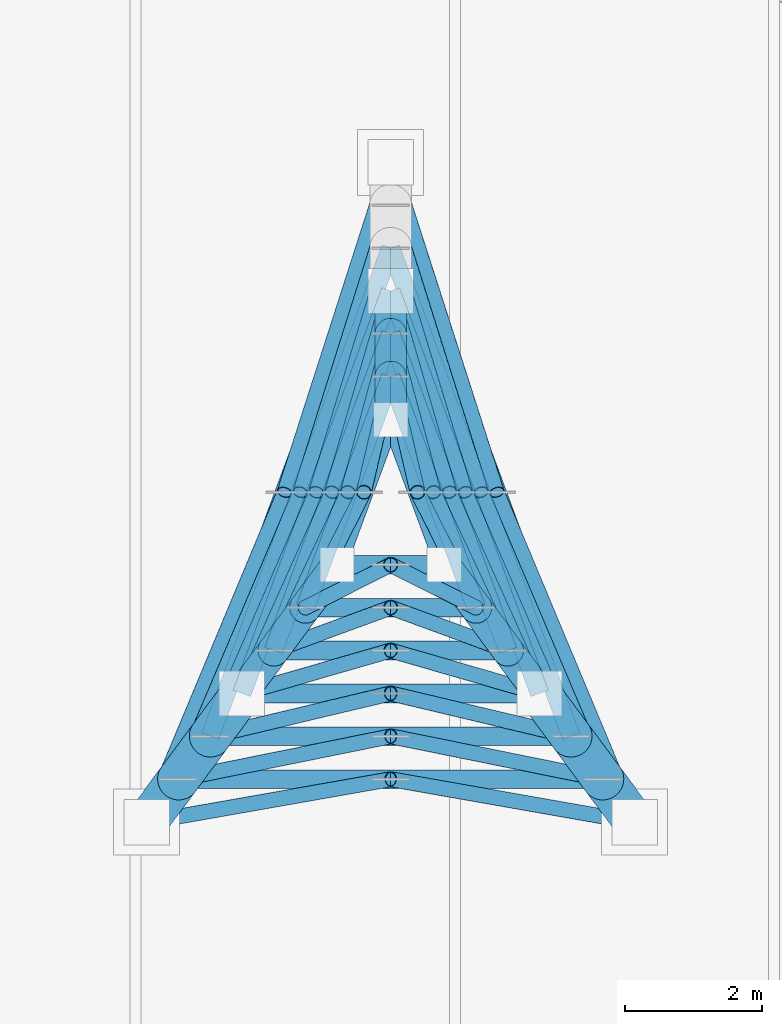
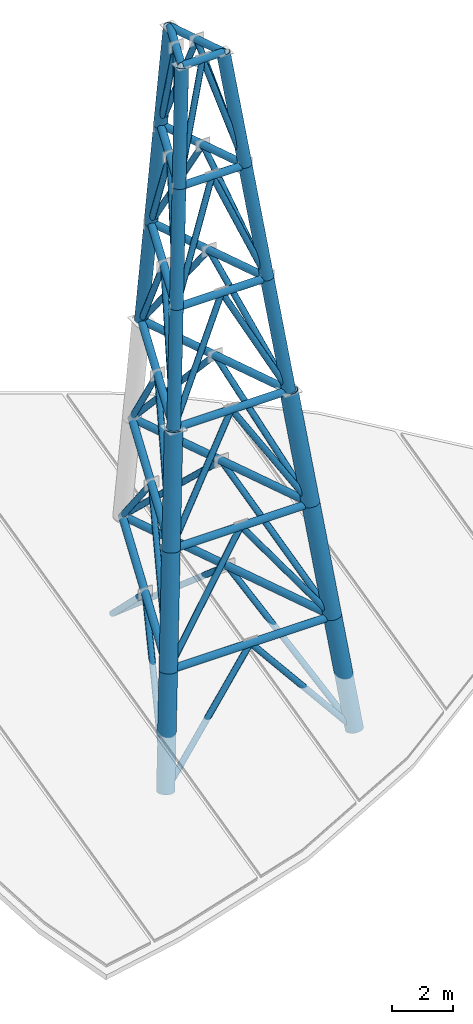
# One storey, part 1 of 3: 69 members.
"""IFC4 building model written with IfcOpenShell, lengths in metres."""

from ifc_helpers import new_model, si_unit, direction, frame, origin, origin_2d, place, context, subcontext, project, spatial, hollow_circle, extrude, material, material_profile, profile_set, type_object, element, save


model = new_model("IFC4")

# Units and contexts
model_context = context("Model", 3, precision=1e-05, world=origin(), true_north=direction((0.0, 1.0)))
body_context = subcontext(model_context, "Body", "Model", "MODEL_VIEW")
ifc_project = project(units=[si_unit("LENGTHUNIT", "METRE"), si_unit("AREAUNIT", "SQUARE_METRE"), si_unit("VOLUMEUNIT", "CUBIC_METRE"), si_unit("PLANEANGLEUNIT", "RADIAN"), si_unit("MASSUNIT", "GRAM", prefix="KILO")], contexts=[model_context])

# Site, building, storey
site_placement = place(None, origin())
site = spatial("IfcSite", under=ifc_project, at=site_placement, CompositionType="ELEMENT")
building_placement = place(site_placement, origin())
building = spatial("IfcBuilding", under=site, at=building_placement, Name="Menara Vayukalpa", CompositionType="ELEMENT")
storey_placement = place(building_placement, frame((0.0, 0.0, 318.419921875)))
storey = spatial("IfcBuildingStorey", under=building, at=storey_placement, Name="RF", CompositionType="ELEMENT", Elevation=318.419921875)

# Members
ifc_material_1 = material(Name="Steel S355", Category="steel")
ifc_material_profile_1 = material_profile(ifc_material_1, hollow_circle(Radius=0.136474609375, WallThickness=0.012451171875, at=origin_2d()), Name="CHS 273.0x12.5")
ifc_profile_set_1 = profile_set([ifc_material_profile_1], Name="Steel S355")
member_type_1 = type_object("IfcMemberType", Name="MEM-MB1", PredefinedType="STRUT", material=ifc_profile_set_1)
member_1_placement = place(storey_placement, frame((22.511474609375, 17.823974609375, 4.266845703125), z_axis=(1.0, 0.0, 0.0), x_axis=(0.0, 1.0, 0.0)))
element("IfcMember", 1, at=member_1_placement, inside=storey, type_object=member_type_1, Name="Broadcast Mast Ring Strut MB1 Tier 1.1", PredefinedType="STRUT", context=body_context, shape_type="SweptSolid", body=[
    extrude(hollow_circle(Radius=0.136474609375, WallThickness=0.012451171875, at=origin_2d()), origin(), (0.0, 0.0, 1.0), 6.177001953125),
])
for number, where, z_axis, x_axis, name in (
    (2, (28.6884765625, 17.823974609375, 4.266845703125), (-0.346823186042, 0.93793052921, 0.0), (-0.93793052921, -0.346823186042, 0.0), "Broadcast Mast Ring Strut MB1 Tier 1.2"),
    (3, (25.60009765625, 26.176025390625, 4.266845703125), (-0.346847304678, -0.93792161039, 0.0), (0.93792161039, -0.346847304678, 0.0), "Broadcast Mast Ring Strut MB1 Tier 1.3"),
):
    element("IfcMember", number, at=place(storey_placement, frame(where, z_axis=z_axis, x_axis=x_axis)), inside=storey, type_object=member_type_1, Name=name, PredefinedType="STRUT", context=body_context, shape_type="SweptSolid", body=[
        extrude(hollow_circle(Radius=0.136474609375, WallThickness=0.012451171875, at=origin_2d()), origin(), (0.0, 0.0, 1.0), 8.90478515625),
    ])
member_2_placement = place(storey_placement, frame((22.972900390625, 18.447998046875, 8.533447265625), z_axis=(1.0, 0.0, 0.0), x_axis=(0.0, 1.0, 0.0)))
element("IfcMember", 4, at=member_2_placement, inside=storey, type_object=member_type_1, Name="Broadcast Mast Ring Strut MB1 Tier 2.1", PredefinedType="STRUT", context=body_context, shape_type="SweptSolid", body=[
    extrude(hollow_circle(Radius=0.136474609375, WallThickness=0.012451171875, at=origin_2d()), origin(), (0.0, 0.0, 1.0), 5.254150390625),
])
for number, where, z_axis, x_axis, name in (
    (5, (28.22705078125, 18.447998046875, 8.533447265625), (-0.346831391993, 0.937927494814, 0.0), (-0.937927494814, -0.346831391993, 0.0), "Broadcast Mast Ring Strut MB1 Tier 2.2"),
    (6, (25.60009765625, 25.552001953125, 8.533447265625), (-0.346859747497, -0.937917008891, 0.0), (0.937917008891, -0.346859747497, 0.0), "Broadcast Mast Ring Strut MB1 Tier 2.3"),
):
    element("IfcMember", number, at=place(storey_placement, frame(where, z_axis=z_axis, x_axis=x_axis)), inside=storey, type_object=member_type_1, Name=name, PredefinedType="STRUT", context=body_context, shape_type="SweptSolid", body=[
        extrude(hollow_circle(Radius=0.136474609375, WallThickness=0.012451171875, at=origin_2d()), origin(), (0.0, 0.0, 1.0), 7.57421875),
    ])
member_3_placement = place(storey_placement, frame((23.4345703125, 19.072021484375, 12.800048828125), z_axis=(1.0, 0.0, 0.0), x_axis=(0.0, 1.0, 0.0)))
element("IfcMember", 7, at=member_3_placement, inside=storey, type_object=member_type_1, Name="Broadcast Mast Ring Strut MB1 Tier 3.1", PredefinedType="STRUT", context=body_context, shape_type="SweptSolid", body=[
    extrude(hollow_circle(Radius=0.136474609375, WallThickness=0.012451171875, at=origin_2d()), origin(), (0.0, 0.0, 1.0), 4.330810546875),
])
member_4_placement = place(storey_placement, frame((27.765380859375, 19.072021484375, 12.800048828125), z_axis=(-0.346808696028, 0.937935887126, 0.0), x_axis=(-0.937935887126, -0.346808696028, 0.0)))
element("IfcMember", 8, at=member_4_placement, inside=storey, type_object=member_type_1, Name="Broadcast Mast Ring Strut MB1 Tier 3.2", PredefinedType="STRUT", context=body_context, shape_type="SweptSolid", body=[
    extrude(hollow_circle(Radius=0.136474609375, WallThickness=0.012451171875, at=origin_2d()), origin(), (0.0, 0.0, 1.0), 6.243408203125),
])
member_5_placement = place(storey_placement, frame((25.60009765625, 24.927978515625, 12.800048828125), z_axis=(-0.346843095581, -0.937923166922, 0.0), x_axis=(0.937923166922, -0.346843095581, 0.0)))
element("IfcMember", 9, at=member_5_placement, inside=storey, type_object=member_type_1, Name="Broadcast Mast Ring Strut MB1 Tier 3.3", PredefinedType="STRUT", context=body_context, shape_type="SweptSolid", body=[
    extrude(hollow_circle(Radius=0.136474609375, WallThickness=0.012451171875, at=origin_2d()), origin(), (0.0, 0.0, 1.0), 6.24365234375),
])
member_6_placement = place(storey_placement, frame((23.89599609375, 19.696044921875, 17.06689453125), z_axis=(1.0, 0.0, 0.0), x_axis=(0.0, 1.0, 0.0)))
element("IfcMember", 10, at=member_6_placement, inside=storey, type_object=member_type_1, Name="Broadcast Mast Ring Strut MB1 Tier 4.1", PredefinedType="STRUT", context=body_context, shape_type="SweptSolid", body=[
    extrude(hollow_circle(Radius=0.136474609375, WallThickness=0.012451171875, at=origin_2d()), origin(), (0.0, 0.0, 1.0), 3.407958984375),
])
for number, where, z_axis, x_axis, name in (
    (11, (27.303955078125, 19.696044921875, 17.06689453125), (-0.346817422718, 0.937932660322, 0.0), (-0.937932660322, -0.346817422718, 0.0), "Broadcast Mast Ring Strut MB1 Tier 4.2"),
    (12, (25.60009765625, 24.303955078125, 17.06689453125), (-0.346861138656, -0.937916494412, 0.0), (0.937916494412, -0.346861138656, 0.0), "Broadcast Mast Ring Strut MB1 Tier 4.3"),
):
    element("IfcMember", number, at=place(storey_placement, frame(where, z_axis=z_axis, x_axis=x_axis)), inside=storey, type_object=member_type_1, Name=name, PredefinedType="STRUT", context=body_context, shape_type="SweptSolid", body=[
        extrude(hollow_circle(Radius=0.136474609375, WallThickness=0.012451171875, at=origin_2d()), origin(), (0.0, 0.0, 1.0), 4.912841796875),
    ])
member_7_placement = place(storey_placement, frame((24.357421875, 20.320068359375, 21.33349609375), z_axis=(1.0, 0.0, 0.0), x_axis=(0.0, 1.0, 0.0)))
element("IfcMember", 13, at=member_7_placement, inside=storey, type_object=member_type_1, Name="Broadcast Mast Ring Strut MB1 Tier 5.1", PredefinedType="STRUT", context=body_context, shape_type="SweptSolid", body=[
    extrude(hollow_circle(Radius=0.136474609375, WallThickness=0.012451171875, at=origin_2d()), origin(), (0.0, 0.0, 1.0), 2.485107421875),
])
for number, where, z_axis, x_axis, name in (
    (14, (26.842529296875, 20.320068359375, 21.33349609375), (-0.346832632386, 0.937927036135, 0.0), (-0.937927036135, -0.346832632386, 0.0), "Broadcast Mast Ring Strut MB1 Tier 5.2"),
    (15, (25.60009765625, 23.679931640625, 21.33349609375), (-0.346892585288, -0.937904864191, 0.0), (0.937904864191, -0.346892585288, 0.0), "Broadcast Mast Ring Strut MB1 Tier 5.3"),
):
    element("IfcMember", number, at=place(storey_placement, frame(where, z_axis=z_axis, x_axis=x_axis)), inside=storey, type_object=member_type_1, Name=name, PredefinedType="STRUT", context=body_context, shape_type="SweptSolid", body=[
        extrude(hollow_circle(Radius=0.136474609375, WallThickness=0.012451171875, at=origin_2d()), origin(), (0.0, 0.0, 1.0), 3.582275390625),
    ])
member_8_placement = place(storey_placement, frame((24.819091796875, 20.944091796875, 25.60009765625), z_axis=(1.0, 0.0, 0.0), x_axis=(0.0, 1.0, 0.0)))
element("IfcMember", 16, at=member_8_placement, inside=storey, type_object=member_type_1, Name="Broadcast Mast Ring Strut MB1 Tier 6.1", PredefinedType="STRUT", context=body_context, shape_type="SweptSolid", body=[
    extrude(hollow_circle(Radius=0.136474609375, WallThickness=0.012451171875, at=origin_2d()), origin(), (0.0, 0.0, 1.0), 1.56201171875),
])
for number, where, z_axis, x_axis, name in (
    (17, (26.381103515625, 20.944091796875, 25.60009765625), (-0.346865818402, 0.937914763731, 0.0), (-0.937914763731, -0.346865818402, 0.0), "Broadcast Mast Ring Strut MB1 Tier 6.2"),
    (18, (25.60009765625, 23.055908203125, 25.60009765625), (-0.346865818402, -0.937914763731, 0.0), (0.937914763731, -0.346865818402, 0.0), "Broadcast Mast Ring Strut MB1 Tier 6.3"),
):
    element("IfcMember", number, at=place(storey_placement, frame(where, z_axis=z_axis, x_axis=x_axis)), inside=storey, type_object=member_type_1, Name=name, PredefinedType="STRUT", context=body_context, shape_type="SweptSolid", body=[
        extrude(hollow_circle(Radius=0.136474609375, WallThickness=0.012451171875, at=origin_2d()), origin(), (0.0, 0.0, 1.0), 2.251708984375),
    ])
ifc_material_2 = material(Name="Steel S355", Category="steel")
ifc_material_profile_2 = material_profile(ifc_material_2, hollow_circle(Radius=0.109619140625, WallThickness=0.010009765625, at=origin_2d()), Name="CHS 219.1x10")
ifc_profile_set_2 = profile_set([ifc_material_profile_2], Name="Steel S355")
member_type_2 = type_object("IfcMemberType", Name="MEM-MB2", PredefinedType="BRACE", material=ifc_profile_set_2)
for number, where, z_axis, x_axis, name in (
    (19, (22.050048828125, 17.199951171875, 0.0), (0.63557878025, 0.111721295806, 0.763909658375), (-0.173124560872, 0.984899937264, 0.0), "Broadcast Mast Lattice Brace MB2 Tier 1.1A"),
    (20, (29.14990234375, 17.199951171875, 0.0), (-0.635552726615, 0.111724399534, 0.763930880539), (-0.173136110744, -0.984897906971, 0.0), "Broadcast Mast Lattice Brace MB2 Tier 1.1B"),
):
    element("IfcMember", number, at=place(storey_placement, frame(where, z_axis=z_axis, x_axis=x_axis)), inside=storey, type_object=member_type_2, Name=name, PredefinedType="BRACE", context=body_context, shape_type="SweptSolid", body=[
        extrude(hollow_circle(Radius=0.109619140625, WallThickness=0.010009765625, at=origin_2d()), origin(), (0.0, 0.0, 1.0), 5.58544921875),
    ])
member_9_placement = place(storey_placement, frame((29.14990234375, 17.199951171875, 0.0), z_axis=(-0.298090055867, 0.713420400293, 0.634171625854), x_axis=(-0.922694639662, -0.385531583583, 0.0)))
element("IfcMember", 21, at=member_9_placement, inside=storey, type_object=member_type_2, Name="Broadcast Mast Lattice Brace MB2 Tier 1.2A", PredefinedType="BRACE", context=body_context, shape_type="SweptSolid", body=[
    extrude(hollow_circle(Radius=0.109619140625, WallThickness=0.010009765625, at=origin_2d()), origin(), (0.0, 0.0, 1.0), 6.728271484375),
])
for number, where, z_axis, x_axis, name in (
    (22, (25.60009765625, 26.800048828125, 0.0), (0.23377775686, -0.726688454959, 0.645965827136), (0.951952461941, 0.306245832958, 0.0), "Broadcast Mast Lattice Brace MB2 Tier 1.2B"),
    (23, (25.60009765625, 26.800048828125, 0.0), (-0.23377775686, -0.726688454959, 0.645965827136), (0.951952461941, -0.306245832958, 0.0), "Broadcast Mast Lattice Brace MB2 Tier 1.3A"),
):
    element("IfcMember", number, at=place(storey_placement, frame(where, z_axis=z_axis, x_axis=x_axis)), inside=storey, type_object=member_type_2, Name=name, PredefinedType="BRACE", context=body_context, shape_type="SweptSolid", body=[
        extrude(hollow_circle(Radius=0.109619140625, WallThickness=0.010009765625, at=origin_2d()), origin(), (0.0, 0.0, 1.0), 6.60546875),
    ])
member_10_placement = place(storey_placement, frame((22.050048828125, 17.199951171875, 0.0), z_axis=(0.298123117104, 0.713412683225, 0.63416476602), x_axis=(-0.922677944716, 0.385571537246, 0.0)))
element("IfcMember", 24, at=member_10_placement, inside=storey, type_object=member_type_2, Name="Broadcast Mast Lattice Brace MB2 Tier 1.3B", PredefinedType="BRACE", context=body_context, shape_type="SweptSolid", body=[
    extrude(hollow_circle(Radius=0.109619140625, WallThickness=0.010009765625, at=origin_2d()), origin(), (0.0, 0.0, 1.0), 6.728271484375),
])
for number, where, z_axis, x_axis, name in (
    (25, (22.511474609375, 17.823974609375, 4.266845703125), (0.582314709856, 0.117650493905, 0.804405333131), (-0.198037848366, 0.980194373895, 0.0), "Broadcast Mast Lattice Brace MB2 Tier 2.1A"),
    (26, (28.6884765625, 17.823974609375, 4.266845703125), (-0.58228428753, 0.117653647346, 0.804426893982), (-0.198052889482, -0.980191334877, 0.0), "Broadcast Mast Lattice Brace MB2 Tier 2.1B"),
):
    element("IfcMember", number, at=place(storey_placement, frame(where, z_axis=z_axis, x_axis=x_axis)), inside=storey, type_object=member_type_2, Name=name, PredefinedType="BRACE", context=body_context, shape_type="SweptSolid", body=[
        extrude(hollow_circle(Radius=0.109619140625, WallThickness=0.010009765625, at=origin_2d()), origin(), (0.0, 0.0, 1.0), 5.303955078125),
    ])
member_11_placement = place(storey_placement, frame((28.6884765625, 17.823974609375, 4.266845703125), z_axis=(-0.284967800893, 0.670477886421, 0.685020259754), x_axis=(-0.920323655138, -0.39115773007, 0.0)))
element("IfcMember", 27, at=member_11_placement, inside=storey, type_object=member_type_2, Name="Broadcast Mast Lattice Brace MB2 Tier 2.2A", PredefinedType="BRACE", context=body_context, shape_type="SweptSolid", body=[
    extrude(hollow_circle(Radius=0.109619140625, WallThickness=0.010009765625, at=origin_2d()), origin(), (0.0, 0.0, 1.0), 6.228515625),
])
for number, where, z_axis, x_axis, name in (
    (28, (25.60009765625, 26.176025390625, 4.266845703125), (0.214867470402, -0.683142766027, 0.697959835082), (0.953927607956, 0.300036862368, 0.0), "Broadcast Mast Lattice Brace MB2 Tier 2.2B"),
    (29, (25.60009765625, 26.176025390625, 4.266845703125), (-0.214867470402, -0.683142766027, 0.697959835082), (0.953927607956, -0.300036862368, 0.0), "Broadcast Mast Lattice Brace MB2 Tier 2.3A"),
):
    element("IfcMember", number, at=place(storey_placement, frame(where, z_axis=z_axis, x_axis=x_axis)), inside=storey, type_object=member_type_2, Name=name, PredefinedType="BRACE", context=body_context, shape_type="SweptSolid", body=[
        extrude(hollow_circle(Radius=0.109619140625, WallThickness=0.010009765625, at=origin_2d()), origin(), (0.0, 0.0, 1.0), 6.113037109375),
    ])
member_12_placement = place(storey_placement, frame((22.511474609375, 17.823974609375, 4.266845703125), z_axis=(0.285003814942, 0.670470396725, 0.68501260761), x_axis=(-0.920304285292, 0.391203300693, 0.0)))
element("IfcMember", 30, at=member_12_placement, inside=storey, type_object=member_type_2, Name="Broadcast Mast Lattice Brace MB2 Tier 2.3B", PredefinedType="BRACE", context=body_context, shape_type="SweptSolid", body=[
    extrude(hollow_circle(Radius=0.109619140625, WallThickness=0.010009765625, at=origin_2d()), origin(), (0.0, 0.0, 1.0), 6.228515625),
])
member_13_placement = place(storey_placement, frame((22.972900390625, 18.447998046875, 8.533447265625), z_axis=(0.520308907167, 0.123586057682, 0.844988241024), x_axis=(-0.231094896843, 0.972931214759, 0.0)))
element("IfcMember", 31, at=member_13_placement, inside=storey, type_object=member_type_2, Name="Broadcast Mast Lattice Brace MB2 Tier 3.1A", PredefinedType="BRACE", context=body_context, shape_type="SweptSolid", body=[
    extrude(hollow_circle(Radius=0.109619140625, WallThickness=0.010009765625, at=origin_2d()), origin(), (0.0, 0.0, 1.0), 5.04931640625),
])
member_14_placement = place(storey_placement, frame((28.22705078125, 18.447998046875, 8.533447265625), z_axis=(-0.520273644228, 0.123589166789, 0.845009498748), x_axis=(-0.231115226925, -0.972926385645, 0.0)))
element("IfcMember", 32, at=member_14_placement, inside=storey, type_object=member_type_2, Name="Broadcast Mast Lattice Brace MB2 Tier 3.1B", PredefinedType="BRACE", context=body_context, shape_type="SweptSolid", body=[
    extrude(hollow_circle(Radius=0.109619140625, WallThickness=0.010009765625, at=origin_2d()), origin(), (0.0, 0.0, 1.0), 5.049072265625),
])
member_15_placement = place(storey_placement, frame((28.22705078125, 18.447998046875, 8.533447265625), z_axis=(-0.268016622617, 0.616404338042, 0.740413926155), x_axis=(-0.917062039197, -0.398744550138, 0.0)))
element("IfcMember", 33, at=member_15_placement, inside=storey, type_object=member_type_2, Name="Broadcast Mast Lattice Brace MB2 Tier 3.2A", PredefinedType="BRACE", context=body_context, shape_type="SweptSolid", body=[
    extrude(hollow_circle(Radius=0.109619140625, WallThickness=0.010009765625, at=origin_2d()), origin(), (0.0, 0.0, 1.0), 5.762451171875),
])
for number, where, z_axis, x_axis, name in (
    (34, (25.60009765625, 25.552001953125, 8.533447265625), (0.191386788458, -0.627985201913, 0.754324653834), (0.956563132241, 0.291525254544, 0.0), "Broadcast Mast Lattice Brace MB2 Tier 3.2B"),
    (35, (25.60009765625, 25.552001953125, 8.533447265625), (-0.191428370374, -0.627980013659, 0.754318421796), (0.956544796148, -0.291585412806, 0.0), "Broadcast Mast Lattice Brace MB2 Tier 3.3A"),
):
    element("IfcMember", number, at=place(storey_placement, frame(where, z_axis=z_axis, x_axis=x_axis)), inside=storey, type_object=member_type_2, Name=name, PredefinedType="BRACE", context=body_context, shape_type="SweptSolid", body=[
        extrude(hollow_circle(Radius=0.109619140625, WallThickness=0.010009765625, at=origin_2d()), origin(), (0.0, 0.0, 1.0), 5.65625),
    ])
member_16_placement = place(storey_placement, frame((22.972900390625, 18.447998046875, 8.533447265625), z_axis=(0.268016622617, 0.616404338042, 0.740413926155), x_axis=(-0.917062039197, 0.398744550138, 0.0)))
element("IfcMember", 36, at=member_16_placement, inside=storey, type_object=member_type_2, Name="Broadcast Mast Lattice Brace MB2 Tier 3.3B", PredefinedType="BRACE", context=body_context, shape_type="SweptSolid", body=[
    extrude(hollow_circle(Radius=0.109619140625, WallThickness=0.010009765625, at=origin_2d()), origin(), (0.0, 0.0, 1.0), 5.762451171875),
])
for number, where, z_axis, x_axis, name in (
    (37, (23.4345703125, 19.072021484375, 12.800048828125), (0.448772888443, 0.129319447899, 0.884239433069), (-0.276895230482, 0.960900115171, 0.0), "Broadcast Mast Lattice Brace MB2 Tier 4.1A"),
    (38, (27.765380859375, 19.072021484375, 12.800048828125), (-0.448732482182, 0.129322384086, 0.884259509651), (-0.276924056967, -0.960891807996, 0.0), "Broadcast Mast Lattice Brace MB2 Tier 4.1B"),
):
    element("IfcMember", number, at=place(storey_placement, frame(where, z_axis=z_axis, x_axis=x_axis)), inside=storey, type_object=member_type_2, Name=name, PredefinedType="BRACE", context=body_context, shape_type="SweptSolid", body=[
        extrude(hollow_circle(Radius=0.109619140625, WallThickness=0.010009765625, at=origin_2d()), origin(), (0.0, 0.0, 1.0), 4.825439453125),
    ])
member_17_placement = place(storey_placement, frame((27.765380859375, 19.072021484375, 12.800048828125), z_axis=(-0.246018354822, 0.548419726651, 0.799193826622), x_axis=(-0.912400599023, -0.409298359272, 0.0)))
element("IfcMember", 39, at=member_17_placement, inside=storey, type_object=member_type_2, Name="Broadcast Mast Lattice Brace MB2 Tier 4.2A", PredefinedType="BRACE", context=body_context, shape_type="SweptSolid", body=[
    extrude(hollow_circle(Radius=0.109619140625, WallThickness=0.010009765625, at=origin_2d()), origin(), (0.0, 0.0, 1.0), 5.3388671875),
])
member_18_placement = place(storey_placement, frame((25.60009765625, 24.927978515625, 12.800048828125), z_axis=(0.162419554658, -0.558296852685, 0.813587433867), x_axis=(0.960192563541, 0.279338935562, 0.0)))
element("IfcMember", 40, at=member_18_placement, inside=storey, type_object=member_type_2, Name="Broadcast Mast Lattice Brace MB2 Tier 4.2B", PredefinedType="BRACE", context=body_context, shape_type="SweptSolid", body=[
    extrude(hollow_circle(Radius=0.109619140625, WallThickness=0.010009765625, at=origin_2d()), origin(), (0.0, 0.0, 1.0), 5.244384765625),
])
member_19_placement = place(storey_placement, frame((25.60009765625, 24.927978515625, 12.800048828125), z_axis=(-0.162464877993, -0.55829263088, 0.813581281572), x_axis=(0.96017108682, -0.27941274852, 0.0)))
element("IfcMember", 41, at=member_19_placement, inside=storey, type_object=member_type_2, Name="Broadcast Mast Lattice Brace MB2 Tier 4.3A", PredefinedType="BRACE", context=body_context, shape_type="SweptSolid", body=[
    extrude(hollow_circle(Radius=0.109619140625, WallThickness=0.010009765625, at=origin_2d()), origin(), (0.0, 0.0, 1.0), 5.24462890625),
])
member_20_placement = place(storey_placement, frame((23.4345703125, 19.072021484375, 12.800048828125), z_axis=(0.246018354822, 0.548419726651, 0.799193826622), x_axis=(-0.912400599023, 0.409298359272, 0.0)))
element("IfcMember", 42, at=member_20_placement, inside=storey, type_object=member_type_2, Name="Broadcast Mast Lattice Brace MB2 Tier 4.3B", PredefinedType="BRACE", context=body_context, shape_type="SweptSolid", body=[
    extrude(hollow_circle(Radius=0.109619140625, WallThickness=0.010009765625, at=origin_2d()), origin(), (0.0, 0.0, 1.0), 5.3388671875),
])
for number, where, z_axis, x_axis, name in (
    (43, (23.89599609375, 19.696044921875, 17.06689453125), (0.367539447118, 0.134588943672, 0.920217675908), (-0.343859328968, 0.939021172222, 0.0), "Broadcast Mast Lattice Brace MB2 Tier 5.1A"),
    (44, (27.303955078125, 19.696044921875, 17.06689453125), (-0.367493902774, 0.134591548287, 0.920235484294), (-0.343902772722, -0.939005262453, 0.0), "Broadcast Mast Lattice Brace MB2 Tier 5.1B"),
):
    element("IfcMember", number, at=place(storey_placement, frame(where, z_axis=z_axis, x_axis=x_axis)), inside=storey, type_object=member_type_2, Name=name, PredefinedType="BRACE", context=body_context, shape_type="SweptSolid", body=[
        extrude(hollow_circle(Radius=0.109619140625, WallThickness=0.010009765625, at=origin_2d()), origin(), (0.0, 0.0, 1.0), 4.636474609375),
    ])
member_21_placement = place(storey_placement, frame((27.303955078125, 19.696044921875, 17.06689453125), z_axis=(-0.217932363168, 0.463726654164, 0.858756703207), x_axis=(-0.905038099666, -0.425330504611, 0.0)))
element("IfcMember", 45, at=member_21_placement, inside=storey, type_object=member_type_2, Name="Broadcast Mast Lattice Brace MB2 Tier 5.2A", PredefinedType="BRACE", context=body_context, shape_type="SweptSolid", body=[
    extrude(hollow_circle(Radius=0.109619140625, WallThickness=0.010009765625, at=origin_2d()), origin(), (0.0, 0.0, 1.0), 4.96826171875),
])
member_22_placement = place(storey_placement, frame((25.60009765625, 24.303955078125, 17.06689453125), z_axis=(0.127050885139, -0.471296856549, 0.872775655935), x_axis=(0.965531740589, 0.260285339415, 0.0)))
element("IfcMember", 46, at=member_22_placement, inside=storey, type_object=member_type_2, Name="Broadcast Mast Lattice Brace MB2 Tier 5.2B", PredefinedType="BRACE", context=body_context, shape_type="SweptSolid", body=[
    extrude(hollow_circle(Radius=0.109619140625, WallThickness=0.010009765625, at=origin_2d()), origin(), (0.0, 0.0, 1.0), 4.888427734375),
])
member_23_placement = place(storey_placement, frame((25.60009765625, 24.303955078125, 17.06689453125), z_axis=(-0.127100019907, -0.471293865566, 0.872770117052), x_axis=(0.965506023793, -0.260380717448, 0.0)))
element("IfcMember", 47, at=member_23_placement, inside=storey, type_object=member_type_2, Name="Broadcast Mast Lattice Brace MB2 Tier 5.3A", PredefinedType="BRACE", context=body_context, shape_type="SweptSolid", body=[
    extrude(hollow_circle(Radius=0.109619140625, WallThickness=0.010009765625, at=origin_2d()), origin(), (0.0, 0.0, 1.0), 4.888671875),
])
member_24_placement = place(storey_placement, frame((23.89599609375, 19.696044921875, 17.06689453125), z_axis=(0.217932363168, 0.463726654164, 0.858756703207), x_axis=(-0.905038099666, 0.425330504611, 0.0)))
element("IfcMember", 48, at=member_24_placement, inside=storey, type_object=member_type_2, Name="Broadcast Mast Lattice Brace MB2 Tier 5.3B", PredefinedType="BRACE", context=body_context, shape_type="SweptSolid", body=[
    extrude(hollow_circle(Radius=0.109619140625, WallThickness=0.010009765625, at=origin_2d()), origin(), (0.0, 0.0, 1.0), 4.96826171875),
])
member_25_placement = place(storey_placement, frame((24.357421875, 20.320068359375, 21.33349609375), z_axis=(0.27692021242, 0.139058558535, 0.950777530893), x_axis=(-0.448757947828, 0.893653346808, 0.0)))
element("IfcMember", 49, at=member_25_placement, inside=storey, type_object=member_type_2, Name="Broadcast Mast Lattice Brace MB2 Tier 6.1A", PredefinedType="BRACE", context=body_context, shape_type="SweptSolid", body=[
    extrude(hollow_circle(Radius=0.109619140625, WallThickness=0.010009765625, at=origin_2d()), origin(), (0.0, 0.0, 1.0), 4.487548828125),
])
member_26_placement = place(storey_placement, frame((26.842529296875, 20.320068359375, 21.33349609375), z_axis=(-0.276869978546, 0.139060653402, 0.950791854012), x_axis=(-0.448828367191, -0.893617981469, 0.0)))
element("IfcMember", 50, at=member_26_placement, inside=storey, type_object=member_type_2, Name="Broadcast Mast Lattice Brace MB2 Tier 6.1B", PredefinedType="BRACE", context=body_context, shape_type="SweptSolid", body=[
    extrude(hollow_circle(Radius=0.109619140625, WallThickness=0.010009765625, at=origin_2d()), origin(), (0.0, 0.0, 1.0), 4.4873046875),
])
member_27_placement = place(storey_placement, frame((26.842529296875, 20.320068359375, 21.33349609375), z_axis=(-0.182690256316, 0.360198181579, 0.914812297816), x_axis=(-0.891846187269, -0.452338787032, 0.0)))
element("IfcMember", 51, at=member_27_placement, inside=storey, type_object=member_type_2, Name="Broadcast Mast Lattice Brace MB2 Tier 6.2A", PredefinedType="BRACE", context=body_context, shape_type="SweptSolid", body=[
    extrude(hollow_circle(Radius=0.109619140625, WallThickness=0.010009765625, at=origin_2d()), origin(), (0.0, 0.0, 1.0), 4.663818359375),
])
for number, where, z_axis, x_axis, name in (
    (52, (25.60009765625, 23.679931640625, 21.33349609375), (0.084828417252, -0.365043364049, 0.927117836087), (0.974046506897, 0.226347967523, 0.0), "Broadcast Mast Lattice Brace MB2 Tier 6.2B"),
    (53, (25.60009765625, 23.679931640625, 21.33349609375), (-0.084881086067, -0.365041720769, 0.927113662571), (0.97401528931, -0.226482264627, 0.0), "Broadcast Mast Lattice Brace MB2 Tier 6.3A"),
):
    element("IfcMember", number, at=place(storey_placement, frame(where, z_axis=z_axis, x_axis=x_axis)), inside=storey, type_object=member_type_2, Name=name, PredefinedType="BRACE", context=body_context, shape_type="SweptSolid", body=[
        extrude(hollow_circle(Radius=0.109619140625, WallThickness=0.010009765625, at=origin_2d()), origin(), (0.0, 0.0, 1.0), 4.60205078125),
    ])
member_28_placement = place(storey_placement, frame((24.357421875, 20.320068359375, 21.33349609375), z_axis=(0.182690256316, 0.360198181579, 0.914812297816), x_axis=(-0.891846187269, 0.452338787032, 0.0)))
element("IfcMember", 54, at=member_28_placement, inside=storey, type_object=member_type_2, Name="Broadcast Mast Lattice Brace MB2 Tier 6.3B", PredefinedType="BRACE", context=body_context, shape_type="SweptSolid", body=[
    extrude(hollow_circle(Radius=0.109619140625, WallThickness=0.010009765625, at=origin_2d()), origin(), (0.0, 0.0, 1.0), 4.663818359375),
])
ifc_material_3 = material(Name="Steel S460", Category="steel")
ifc_material_profile_3 = material_profile(ifc_material_3, hollow_circle(Radius=0.3046875, WallThickness=0.028076171875, at=origin_2d()), Name="CHS 609.6x28")
ifc_profile_set_3 = profile_set([ifc_material_profile_3], Name="Steel S460")
member_type_3 = type_object("IfcMemberType", Name="MEM-ML1", PredefinedType="POST", material=ifc_profile_set_3)
for number, where, z_axis, x_axis, name in (
    (55, (22.050048828125, 17.199951171875, 0.0), (0.106396461723, 0.143888548235, 0.983857651604), (-0.804058447811, 0.594550260705, 0.0), "Broadcast Mast Leg ML1 Tier 1 L1"),
    (56, (29.14990234375, 17.199951171875, 0.0), (-0.106396461723, 0.143888548235, 0.983857651604), (-0.804058447811, -0.594550260705, 0.0), "Broadcast Mast Leg ML1 Tier 1 L2"),
):
    element("IfcMember", number, at=place(storey_placement, frame(where, z_axis=z_axis, x_axis=x_axis)), inside=storey, type_object=member_type_3, Name=name, PredefinedType="POST", context=body_context, shape_type="SweptSolid", body=[
        extrude(hollow_circle(Radius=0.3046875, WallThickness=0.028076171875, at=origin_2d()), origin(), (0.0, 0.0, 1.0), 4.3369140625),
    ])
for number, where, z_axis, x_axis, name in (
    (57, (22.511474609375, 17.823974609375, 4.266845703125), (0.106402354886, 0.143896518037, 0.983855848675), (-0.804058447811, 0.594550260705, 0.0), "Broadcast Mast Leg ML1 Tier 2 L1"),
    (58, (28.6884765625, 17.823974609375, 4.266845703125), (-0.106402354886, 0.143896518037, 0.983855848675), (-0.804058447811, -0.594550260705, 0.0), "Broadcast Mast Leg ML1 Tier 2 L2"),
    (59, (22.972900390625, 18.447998046875, 8.533447265625), (0.106458014558, 0.143895655849, 0.983849953684), (-0.803908065765, 0.594753580736, 0.0), "Broadcast Mast Leg ML1 Tier 3 L1"),
    (60, (28.22705078125, 18.447998046875, 8.533447265625), (-0.106458014558, 0.143895655849, 0.983849953684), (-0.803908065765, -0.594753580736, 0.0), "Broadcast Mast Leg ML1 Tier 3 L2"),
):
    element("IfcMember", number, at=place(storey_placement, frame(where, z_axis=z_axis, x_axis=x_axis)), inside=storey, type_object=member_type_3, Name=name, PredefinedType="POST", context=body_context, shape_type="SweptSolid", body=[
        extrude(hollow_circle(Radius=0.3046875, WallThickness=0.028076171875, at=origin_2d()), origin(), (0.0, 0.0, 1.0), 4.336669921875),
    ])
ifc_material_4 = material(Name="Steel S460", Category="steel")
ifc_material_profile_4 = material_profile(ifc_material_4, hollow_circle(Radius=0.228515625, WallThickness=0.02197265625, at=origin_2d()), Name="CHS 457.2x22")
ifc_profile_set_4 = profile_set([ifc_material_profile_4], Name="Steel S460")
member_type_4 = type_object("IfcMemberType", Name="MEM-ML2", PredefinedType="POST", material=ifc_profile_set_4)
for number, where, z_axis, x_axis, name in (
    (61, (23.4345703125, 19.072021484375, 12.800048828125), (0.106396461723, 0.143888548235, 0.983857651604), (-0.804058447811, 0.594550260705, 0.0), "Broadcast Mast Leg ML2 Tier 4 L1"),
    (62, (27.765380859375, 19.072021484375, 12.800048828125), (-0.106396461723, 0.143888548235, 0.983857651604), (-0.804058447811, -0.594550260705, 0.0), "Broadcast Mast Leg ML2 Tier 4 L2"),
):
    element("IfcMember", number, at=place(storey_placement, frame(where, z_axis=z_axis, x_axis=x_axis)), inside=storey, type_object=member_type_4, Name=name, PredefinedType="POST", context=body_context, shape_type="SweptSolid", body=[
        extrude(hollow_circle(Radius=0.228515625, WallThickness=0.02197265625, at=origin_2d()), origin(), (0.0, 0.0, 1.0), 4.3369140625),
    ])
member_29_placement = place(storey_placement, frame((25.60009765625, 24.927978515625, 12.800048828125), z_axis=(0.0, -0.144709952784, 0.989474117683), x_axis=(1.0, 0.0, 0.0)))
element("IfcMember", 63, at=member_29_placement, inside=storey, type_object=member_type_4, Name="Broadcast Mast Leg ML2 Tier 4 L3", PredefinedType="POST", context=body_context, shape_type="SweptSolid", body=[
    extrude(hollow_circle(Radius=0.228515625, WallThickness=0.02197265625, at=origin_2d()), origin(), (0.0, 0.0, 1.0), 4.312255859375),
])
for number, where, z_axis, x_axis, name in (
    (64, (23.89599609375, 19.696044921875, 17.06689453125), (0.106402354886, 0.143896518037, 0.983855848675), (-0.804058447811, 0.594550260705, 0.0), "Broadcast Mast Leg ML2 Tier 5 L1"),
    (65, (27.303955078125, 19.696044921875, 17.06689453125), (-0.106402354886, 0.143896518037, 0.983855848675), (-0.804058447811, -0.594550260705, 0.0), "Broadcast Mast Leg ML2 Tier 5 L2"),
):
    element("IfcMember", number, at=place(storey_placement, frame(where, z_axis=z_axis, x_axis=x_axis)), inside=storey, type_object=member_type_4, Name=name, PredefinedType="POST", context=body_context, shape_type="SweptSolid", body=[
        extrude(hollow_circle(Radius=0.228515625, WallThickness=0.02197265625, at=origin_2d()), origin(), (0.0, 0.0, 1.0), 4.336669921875),
    ])
member_30_placement = place(storey_placement, frame((25.60009765625, 24.303955078125, 17.06689453125), z_axis=(0.0, -0.144718059864, 0.989472931994), x_axis=(1.0, 0.0, 0.0)))
element("IfcMember", 66, at=member_30_placement, inside=storey, type_object=member_type_4, Name="Broadcast Mast Leg ML2 Tier 5 L3", PredefinedType="POST", context=body_context, shape_type="SweptSolid", body=[
    extrude(hollow_circle(Radius=0.228515625, WallThickness=0.02197265625, at=origin_2d()), origin(), (0.0, 0.0, 1.0), 4.31201171875),
])
for number, where, z_axis, x_axis, name in (
    (67, (24.357421875, 20.320068359375, 21.33349609375), (0.106458014558, 0.143895655849, 0.983849953684), (-0.803908065765, 0.594753580736, 0.0), "Broadcast Mast Leg ML2 Tier 6 L1"),
    (68, (26.842529296875, 20.320068359375, 21.33349609375), (-0.106402354886, 0.143896518037, 0.983855848675), (-0.804058447811, -0.594550260705, 0.0), "Broadcast Mast Leg ML2 Tier 6 L2"),
):
    element("IfcMember", number, at=place(storey_placement, frame(where, z_axis=z_axis, x_axis=x_axis)), inside=storey, type_object=member_type_4, Name=name, PredefinedType="POST", context=body_context, shape_type="SweptSolid", body=[
        extrude(hollow_circle(Radius=0.228515625, WallThickness=0.02197265625, at=origin_2d()), origin(), (0.0, 0.0, 1.0), 4.336669921875),
    ])
member_31_placement = place(storey_placement, frame((25.60009765625, 23.679931640625, 21.33349609375), z_axis=(0.0, -0.144718059864, 0.989472931994), x_axis=(1.0, 0.0, 0.0)))
element("IfcMember", 69, at=member_31_placement, inside=storey, type_object=member_type_4, Name="Broadcast Mast Leg ML2 Tier 6 L3", PredefinedType="POST", context=body_context, shape_type="SweptSolid", body=[
    extrude(hollow_circle(Radius=0.228515625, WallThickness=0.02197265625, at=origin_2d()), origin(), (0.0, 0.0, 1.0), 4.31201171875),
])

save(model, "model.ifc")
